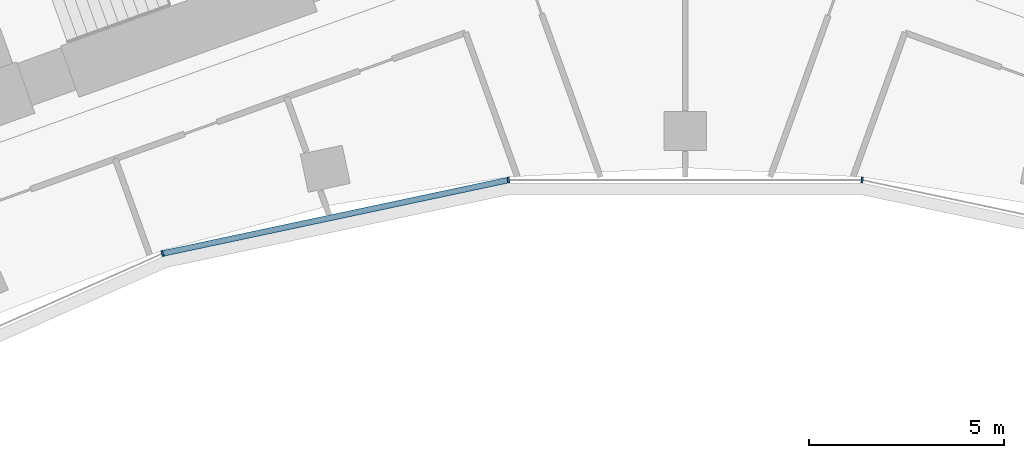
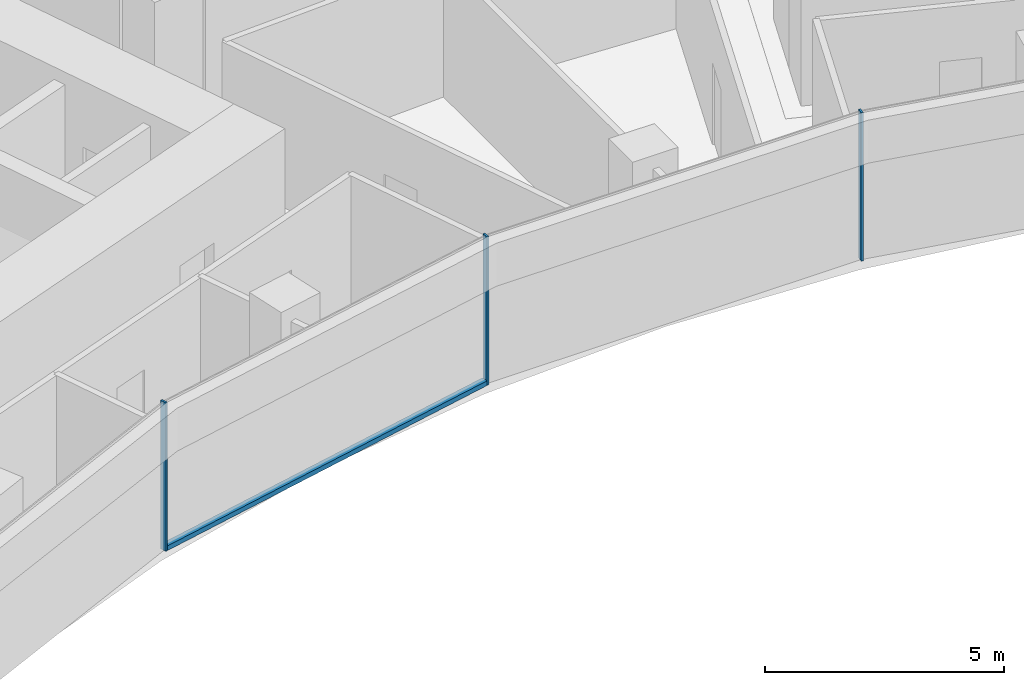
# One storey, part 5 of 20: 4 members, 1 element without a shape of its own.
"""IFC4 building model written with IfcOpenShell, lengths in metres."""

from ifc_helpers import new_model, si_unit, direction, frame, origin, origin_2d, place, context, subcontext, project, spatial, rectangle, extrude, material, layer, layer_set, material_profile, profile_set, type_object, element, aggregate, save


model = new_model("IFC4")

# Units and contexts
model_context = context("Model", 3, precision=1e-05, world=origin(), true_north=direction((0.0, 1.0)))
body_context = subcontext(model_context, "Body", "Model", "MODEL_VIEW")
ifc_project = project(units=[si_unit("LENGTHUNIT", "METRE"), si_unit("AREAUNIT", "SQUARE_METRE"), si_unit("VOLUMEUNIT", "CUBIC_METRE"), si_unit("PLANEANGLEUNIT", "RADIAN"), si_unit("MASSUNIT", "GRAM", prefix="KILO")], contexts=[model_context])

# Site, building, storey
site_placement = place(None, origin())
site = spatial("IfcSite", under=ifc_project, at=site_placement, CompositionType="ELEMENT")
building_placement = place(site_placement, origin())
building = spatial("IfcBuilding", under=site, at=building_placement, Name="Stone Belt Terrace Tower", CompositionType="ELEMENT")
storey_placement = place(building_placement, frame((0.0, 0.0, 147.800048828125)))
storey = spatial("IfcBuildingStorey", under=building, at=storey_placement, Name="L35", CompositionType="ELEMENT", Elevation=147.800048828125)

# Curtain wall, members
ifc_material = material(Name="Aluminium 6063-T6 anodised frame", Category="aluminium")
ifc_layer = layer(ifc_material, 0.14990234375)
ifc_layer_set = layer_set([ifc_layer], Name="CW-B unitised concave-face curtain wall")
curtain_wall_type = type_object("IfcCurtainWallType", Name="CW-B unitised concave-face curtain wall", PredefinedType="NOTDEFINED", material=ifc_layer_set)
curtain_wall_placement = place(storey_placement, origin())
curtain_wall = element("IfcCurtainWall", 1, at=curtain_wall_placement, inside=storey, type_object=curtain_wall_type, Name="CW-B concave face L35", PredefinedType="NOTDEFINED")
ifc_material_profile_1 = material_profile(ifc_material, rectangle(XDim=0.14990234375, YDim=0.050048828125, at=origin_2d()), Name="Aluminium 6063-T6 50x150")
ifc_profile_set_1 = profile_set([ifc_material_profile_1], Name="Aluminium 6063-T6 anodised frame")
member_type_1 = type_object("IfcMemberType", Name="CW-B mullion 50 x 150", PredefinedType="MULLION", material=ifc_profile_set_1)
member_1_placement = place(storey_placement, frame((-13.4189453125, 41.29931640625, 0.0), z_axis=(0.0, 0.0, 1.0), x_axis=(-0.309016994375, 0.951056516295, 0.0)))
member_1 = element("IfcMember", 2, at=member_1_placement, type_object=member_type_1, Name="CW-B mullion 4", PredefinedType="MULLION", context=body_context, shape_type="SweptSolid", body=[
    extrude(rectangle(XDim=0.14990234375, YDim=0.050048828125, at=origin_2d()), origin(), (0.0, 0.0, 1.0), 3.800048828125),
])
member_2_placement = place(storey_placement, frame((-4.5390625, 43.186767578125, 0.0), z_axis=(0.0, 0.0, 1.0), x_axis=(-0.104528463268, 0.994521895368, 0.0)))
member_2 = element("IfcMember", 3, at=member_2_placement, type_object=member_type_1, Name="CW-B mullion 5", PredefinedType="MULLION", context=body_context, shape_type="SweptSolid", body=[
    extrude(rectangle(XDim=0.14990234375, YDim=0.050048828125, at=origin_2d()), origin(), (0.0, 0.0, 1.0), 3.800048828125),
])
member_3_placement = place(storey_placement, frame((4.5390625, 43.186767578125, 0.0), z_axis=(0.0, 0.0, 1.0), x_axis=(0.104528463268, 0.994521895368, 0.0)))
member_3 = element("IfcMember", 4, at=member_3_placement, type_object=member_type_1, Name="CW-B mullion 6", PredefinedType="MULLION", context=body_context, shape_type="SweptSolid", body=[
    extrude(rectangle(XDim=0.14990234375, YDim=0.050048828125, at=origin_2d()), origin(), (0.0, 0.0, 1.0), 3.800048828125),
])
ifc_material_profile_2 = material_profile(ifc_material, rectangle(XDim=0.14990234375, YDim=0.1201171875, at=origin_2d()), Name="Aluminium 6063-T6 150x120")
ifc_profile_set_2 = profile_set([ifc_material_profile_2], Name="Aluminium 6063-T6 anodised frame")
member_type_2 = type_object("IfcMemberType", Name="CW-B transom 120 x 150", PredefinedType="USERDEFINED", material=ifc_profile_set_2)
member_4_placement = place(storey_placement, frame((-13.386962890625, 41.30615234375, 0.06005859375), z_axis=(0.9781499003, 0.207900871914, 0.0), x_axis=(-0.207900871914, 0.9781499003, 0.0)))
member_4 = element("IfcMember", 5, at=member_4_placement, type_object=member_type_2, Name="CW-B transom 4.1", ObjectType="TRANSOM", PredefinedType="USERDEFINED", context=body_context, shape_type="SweptSolid", body=[
    extrude(rectangle(XDim=0.14990234375, YDim=0.1201171875, at=origin_2d()), origin(), (0.0, 0.0, 1.0), 9.012939453125),
])
aggregate(curtain_wall, [member_1, member_2, member_3, member_4])

save(model, "model.ifc")
